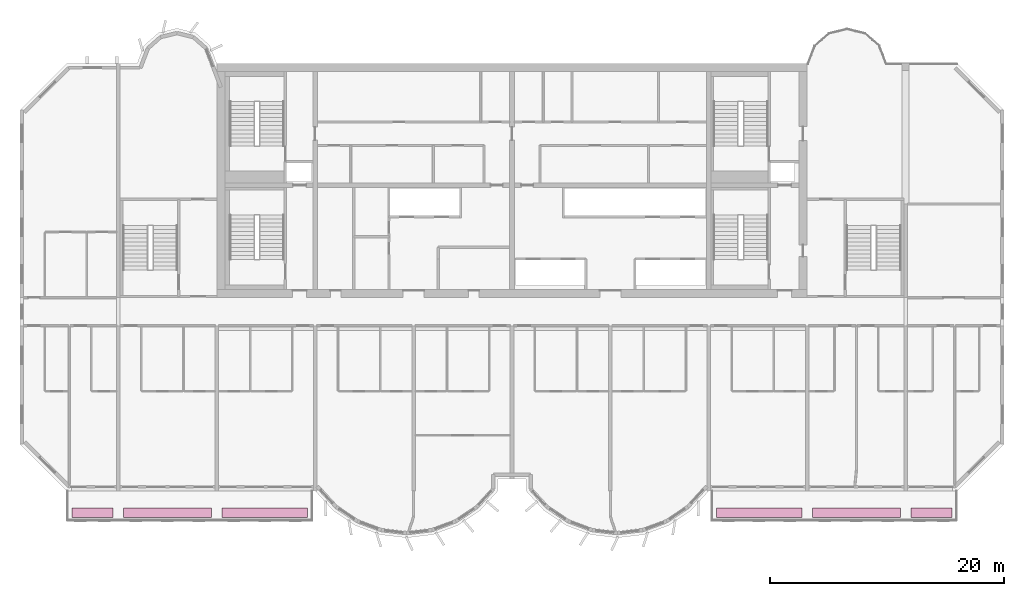
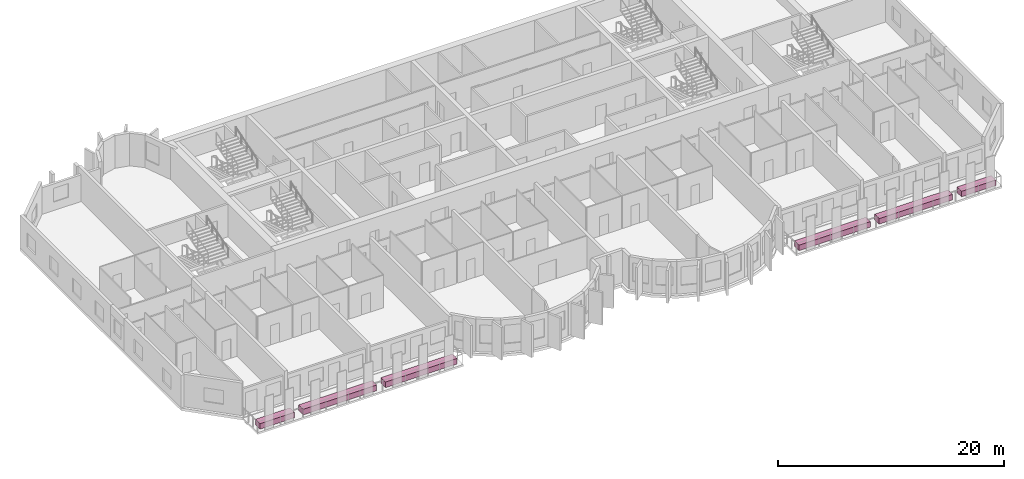
# One storey, part 13 of 13: 6 furniture elements.
"""IFC4 building model written with IfcOpenShell, lengths in metres."""

from ifc_helpers import new_model, si_unit, direction, frame, origin, origin_2d, place, context, subcontext, project, spatial, rectangle, extrude, source, transform, mapped, material, type_object, element, save


model = new_model("IFC4")

# Units and contexts
model_context = context("Model", 3, precision=1e-05, world=origin(), true_north=direction((0.0, 1.0)))
body_context = subcontext(model_context, "Body", "Model", "MODEL_VIEW")
ifc_project = project(units=[si_unit("LENGTHUNIT", "METRE"), si_unit("AREAUNIT", "SQUARE_METRE"), si_unit("VOLUMEUNIT", "CUBIC_METRE"), si_unit("PLANEANGLEUNIT", "RADIAN"), si_unit("MASSUNIT", "GRAM", prefix="KILO")], contexts=[model_context])

# Site, building, storey
site_placement = place(None, origin())
site = spatial("IfcSite", under=ifc_project, at=site_placement, CompositionType="ELEMENT")
building_placement = place(site_placement, origin())
building = spatial("IfcBuilding", under=site, at=building_placement, Name="Vanashikhar Sky Hotel", CompositionType="ELEMENT")
storey_placement = place(building_placement, frame((0.0, 0.0, 185.800048828125)))
storey = spatial("IfcBuildingStorey", under=building, at=storey_placement, Name="L45", CompositionType="ELEMENT", Elevation=185.800048828125)

# Furniture
ifc_material = material(Name="Planting soil and shrubs")
furniture_type = type_object("IfcFurnitureType", Name="Planter trough", AssemblyPlace="NOTDEFINED", PredefinedType="USERDEFINED", material=ifc_material)
shared_shape_1 = source(origin(), body_context, "Body", "SweptSolid", [
    extrude(rectangle(XDim=3.5, YDim=0.800048828125, at=origin_2d()), origin(), (0.0, 0.0, 1.0), 0.60009765625),
])
for number, where, z_axis, x_axis, name in (
    (1, (14.60009765625, 3.64990234375, -0.050048828125), (0.0, 0.0, 1.0), (1.0, 0.0, 0.0), "PLANTER with climbers"),
    (2, (86.199951171875, 3.64990234375, -0.050048828125), (0.0, 0.0, 1.0), (1.0, 0.0, 0.0), "PLANTER with climbers"),
):
    element("IfcFurniture", number, at=place(storey_placement, frame(where, z_axis=z_axis, x_axis=x_axis)), inside=storey, type_object=furniture_type, Name=name, ObjectType="PLANTER", PredefinedType="USERDEFINED", context=body_context, shape_type="MappedRepresentation", body=[
        mapped(shared_shape_1, transform((0.0, 0.0, 0.0), scale=1.0)),
    ])
shared_shape_2 = source(origin(), body_context, "Body", "SweptSolid", [
    extrude(rectangle(XDim=7.5, YDim=0.800048828125, at=origin_2d()), origin(), (0.0, 0.0, 1.0), 0.60009765625),
])
for number, where, z_axis, x_axis, name in (
    (3, (21.0, 3.64990234375, -0.050048828125), (0.0, 0.0, 1.0), (1.0, 0.0, 0.0), "PLANTER with climbers"),
    (4, (79.800048828125, 3.64990234375, -0.050048828125), (0.0, 0.0, 1.0), (1.0, 0.0, 0.0), "PLANTER with climbers"),
):
    element("IfcFurniture", number, at=place(storey_placement, frame(where, z_axis=z_axis, x_axis=x_axis)), inside=storey, type_object=furniture_type, Name=name, ObjectType="PLANTER", PredefinedType="USERDEFINED", context=body_context, shape_type="MappedRepresentation", body=[
        mapped(shared_shape_2, transform((0.0, 0.0, 0.0), scale=1.0)),
    ])
shared_shape_3 = source(origin(), body_context, "Body", "SweptSolid", [
    extrude(rectangle(XDim=7.300048828125, YDim=0.800048828125, at=origin_2d()), origin(), (0.0, 0.0, 1.0), 0.60009765625),
])
for number, where, z_axis, x_axis, name in (
    (5, (29.300048828125, 3.64990234375, -0.050048828125), (0.0, 0.0, 1.0), (1.0, 0.0, 0.0), "PLANTER with climbers"),
    (6, (71.5, 3.64990234375, -0.050048828125), (0.0, 0.0, 1.0), (1.0, 0.0, 0.0), "PLANTER with climbers"),
):
    element("IfcFurniture", number, at=place(storey_placement, frame(where, z_axis=z_axis, x_axis=x_axis)), inside=storey, type_object=furniture_type, Name=name, ObjectType="PLANTER", PredefinedType="USERDEFINED", context=body_context, shape_type="MappedRepresentation", body=[
        mapped(shared_shape_3, transform((0.0, 0.0, 0.0), scale=1.0)),
    ])

save(model, "model.ifc")
